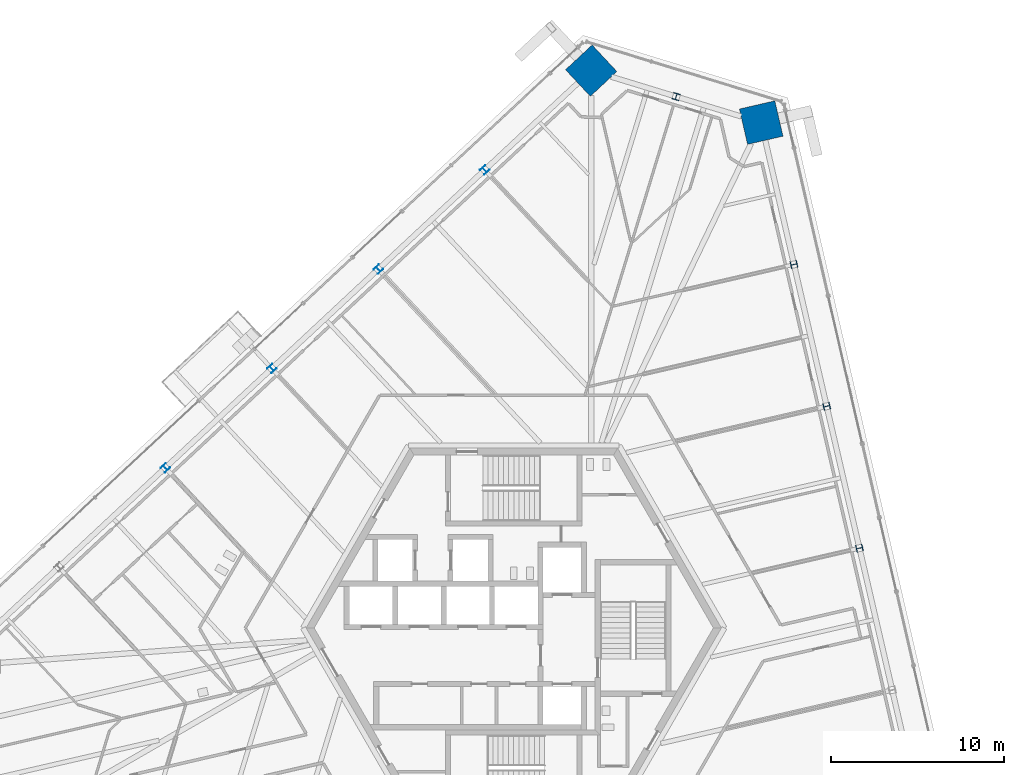
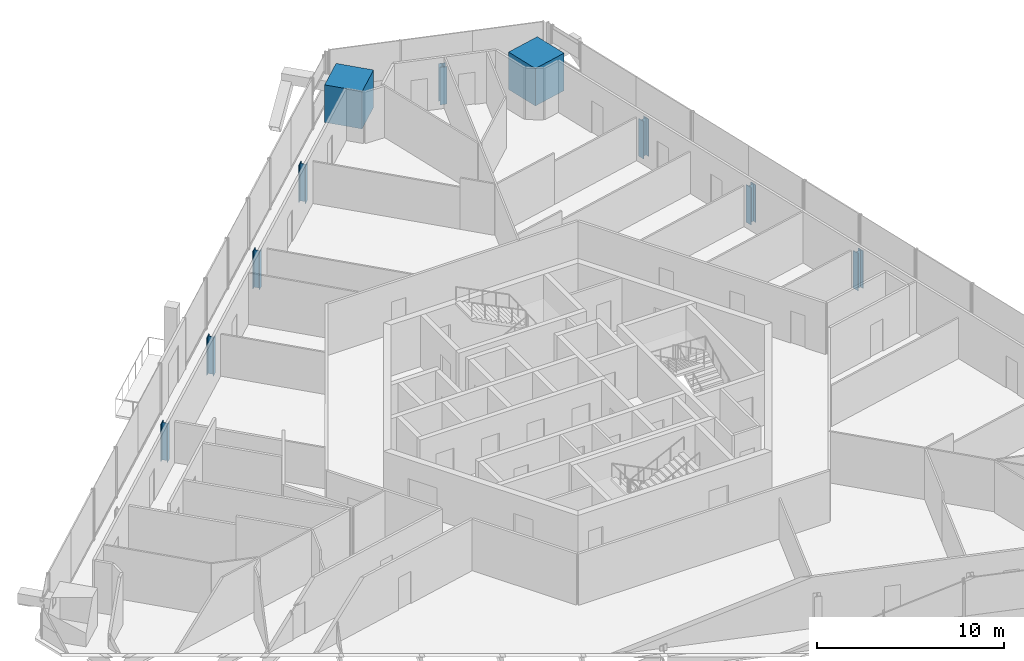
# One storey, part 3 of 25: 10 columns.
"""IFC4 building model written with IfcOpenShell, lengths in metres."""

from ifc_helpers import new_model, si_unit, direction, frame, origin, origin_2d, place, context, subcontext, project, spatial, rectangle, i_section, extrude, source, transform, mapped, material, material_profile, profile_set, type_object, element, save


model = new_model("IFC4")

# Units and contexts
model_context = context("Model", 3, precision=1e-05, world=origin(), true_north=direction((0.0, 1.0)))
body_context = subcontext(model_context, "Body", "Model", "MODEL_VIEW")
ifc_project = project(units=[si_unit("LENGTHUNIT", "METRE"), si_unit("AREAUNIT", "SQUARE_METRE"), si_unit("VOLUMEUNIT", "CUBIC_METRE"), si_unit("PLANEANGLEUNIT", "RADIAN"), si_unit("MASSUNIT", "GRAM", prefix="KILO")], contexts=[model_context])

# Site, building, storey
site_placement = place(None, origin())
site = spatial("IfcSite", under=ifc_project, at=site_placement, CompositionType="ELEMENT")
building_placement = place(site_placement, origin())
building = spatial("IfcBuilding", under=site, at=building_placement, Name="Triune Harvest Tower", CompositionType="ELEMENT")
storey_placement = place(building_placement, frame((0.0, 0.0, 130.699951171875)))
storey = spatial("IfcBuildingStorey", under=building, at=storey_placement, Name="L33", CompositionType="ELEMENT", Elevation=130.699951171875)

# Columns
ifc_material_1 = material(Name="Concrete 70 MPa", Category="concrete")
ifc_material_profile_1 = material_profile(ifc_material_1, rectangle(XDim=2.10009765625, YDim=2.10009765625, at=origin_2d()), Name="Composite 2100x2100")
ifc_profile_set_1 = profile_set([ifc_material_profile_1], Name="Concrete 70 MPa")
column_type_1 = type_object("IfcColumnType", Name="MC-3 Mega column Composite 2100x2100", PredefinedType="COLUMN", material=ifc_profile_set_1)
shared_shape_1 = source(origin(), body_context, "Body", "SweptSolid", [
    extrude(rectangle(XDim=2.10009765625, YDim=2.10009765625, at=origin_2d()), origin(), (0.0, 0.0, 1.0), 2.449951171875),
])
for number, where, z_axis, x_axis, name in (
    (1, (14.301513671875, 29.208984375, 0.0), (0.0, 0.0, 1.0), (-0.22495275494, 0.97436967217, 0.0), "col/L33/M6"),
    (2, (4.47705078125, 32.212646484375, 0.0), (0.0, 0.0, 1.0), (-0.73135489193, -0.681997083608, 0.0), "col/L33/M8"),
):
    element("IfcColumn", number, at=place(storey_placement, frame(where, z_axis=z_axis, x_axis=x_axis)), inside=storey, type_object=column_type_1, Name=name, PredefinedType="COLUMN", context=body_context, shape_type="MappedRepresentation", body=[
        mapped(shared_shape_1, transform((0.0, 0.0, 0.0), scale=1.0)),
    ])
ifc_material_2 = material(Name="Steel ASTM A992 Gr 50", Category="steel")
ifc_material_profile_2 = material_profile(ifc_material_2, i_section(OverallWidth=0.396240234375, OverallDepth=0.381103515625, WebThickness=0.01904296875, FlangeThickness=0.0302734375, at=origin_2d()), Name="W14x159")
ifc_profile_set_2 = profile_set([ifc_material_profile_2], Name="Steel ASTM A992 Gr 50")
column_type_2 = type_object("IfcColumnType", Name="PC-3 Perimeter column W14x159", PredefinedType="COLUMN", material=ifc_profile_set_2)
shared_shape_2 = source(origin(), body_context, "Body", "SweptSolid", [
    extrude(i_section(OverallWidth=0.396240234375, OverallDepth=0.381103515625, WebThickness=0.01904296875, FlangeThickness=0.0302734375, at=origin_2d()), origin(), (0.0, 0.0, 1.0), 2.449951171875),
])
for number, where, z_axis, x_axis, name in (
    (3, (19.97998046875, 4.61279296875, 0.0), (0.0, 0.0, 1.0), (-0.22495275494, 0.97436967217, 0.0), "col/L33/P3"),
    (4, (18.087158203125, 12.8115234375, 0.0), (0.0, 0.0, 1.0), (-0.22495275494, 0.97436967217, 0.0), "col/L33/P4"),
    (5, (16.1943359375, 21.01025390625, 0.0), (0.0, 0.0, 1.0), (-0.22495275494, 0.97436967217, 0.0), "col/L33/P5"),
    (6, (9.389404296875, 30.7109375, 0.0), (0.0, 0.0, 1.0), (-0.956304755963, 0.292371704723, 0.0), "col/L33/P7"),
    (7, (-1.6767578125, 26.47412109375, 0.0), (0.0, 0.0, 1.0), (-0.73135489193, -0.681997083608, 0.0), "col/L33/P9"),
    (8, (-7.830810546875, 20.7353515625, 0.0), (0.0, 0.0, 1.0), (-0.73135489193, -0.681997083608, 0.0), "col/L33/P10"),
    (9, (-13.984619140625, 14.996826171875, 0.0), (0.0, 0.0, 1.0), (-0.73135489193, -0.681997083608, 0.0), "col/L33/P11"),
    (10, (-20.138671875, 9.25830078125, 0.0), (0.0, 0.0, 1.0), (-0.73135489193, -0.681997083608, 0.0), "col/L33/P12"),
):
    element("IfcColumn", number, at=place(storey_placement, frame(where, z_axis=z_axis, x_axis=x_axis)), inside=storey, type_object=column_type_2, Name=name, PredefinedType="COLUMN", context=body_context, shape_type="MappedRepresentation", body=[
        mapped(shared_shape_2, transform((0.0, 0.0, 0.0), scale=1.0)),
    ])

save(model, "model.ifc")
